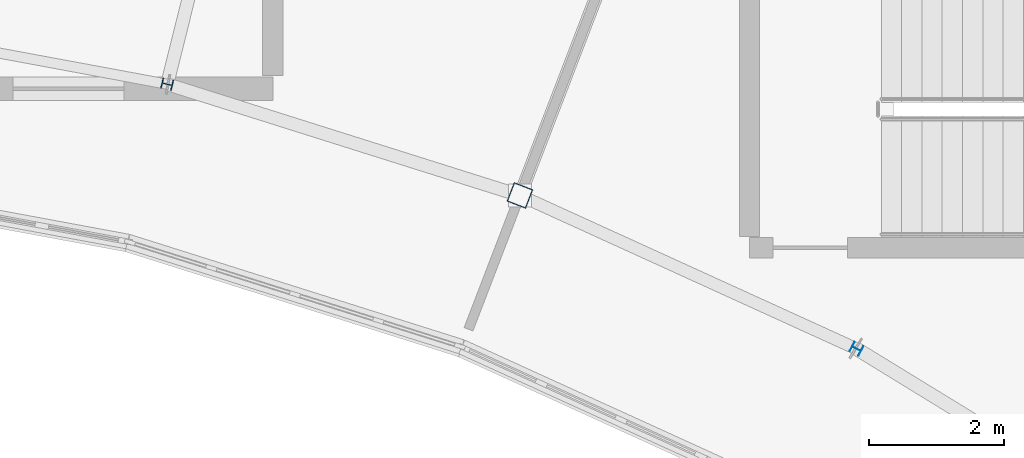
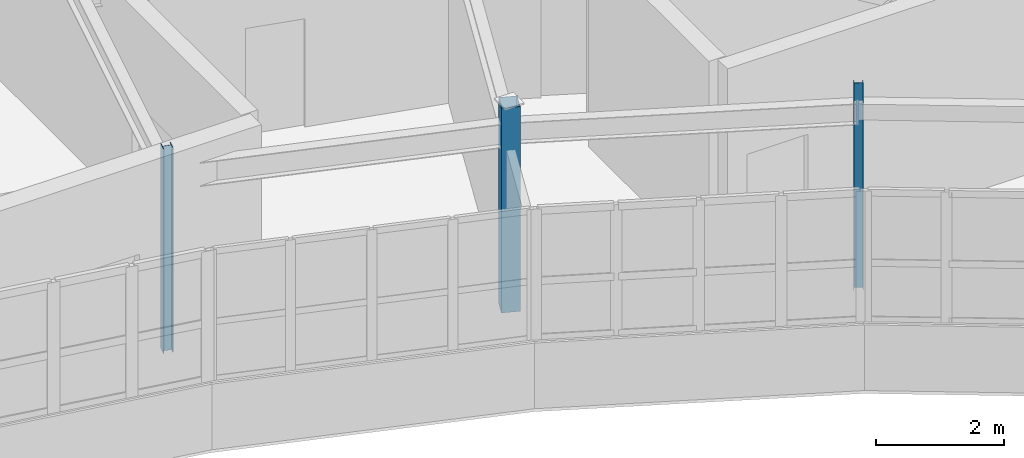
# One storey, part 13 of 79: 3 columns.
"""IFC4 building model written with IfcOpenShell, lengths in metres."""

from ifc_helpers import new_model, si_unit, direction, frame, origin, origin_2d, place, context, subcontext, project, spatial, hollow_rectangle, i_section, extrude, material, material_profile, profile_set, type_object, element, save


model = new_model("IFC4")

# Units and contexts
model_context = context("Model", 3, precision=1e-05, world=origin(), true_north=direction((0.0, 1.0)))
body_context = subcontext(model_context, "Body", "Model", "MODEL_VIEW")
ifc_project = project(units=[si_unit("LENGTHUNIT", "METRE"), si_unit("AREAUNIT", "SQUARE_METRE"), si_unit("VOLUMEUNIT", "CUBIC_METRE"), si_unit("PLANEANGLEUNIT", "RADIAN"), si_unit("MASSUNIT", "GRAM", prefix="KILO")], contexts=[model_context])

# Site, building, storey
site_placement = place(None, origin())
site = spatial("IfcSite", under=ifc_project, at=site_placement, CompositionType="ELEMENT")
building_placement = place(site_placement, origin())
building = spatial("IfcBuilding", under=site, at=building_placement, Name="Tarnwether General Hospital", CompositionType="ELEMENT")
storey_placement = place(building_placement, frame((0.0, 0.0, 18.300048828125)))
storey = spatial("IfcBuildingStorey", under=building, at=storey_placement, Name="L04", CompositionType="ELEMENT", Elevation=18.300048828125)

# Columns
ifc_material_1 = material(Name="Steel Grade 350 (350 MPa)", Category="steel")
ifc_material_profile_1 = material_profile(ifc_material_1, i_section(OverallWidth=0.154052734375, OverallDepth=0.162109375, WebThickness=0.008056640625, FlangeThickness=0.011474609375, at=origin_2d()), Name="150UC37.2")
ifc_profile_set_1 = profile_set([ifc_material_profile_1], Name="Steel Grade 350 (350 MPa)")
column_type_1 = type_object("IfcColumnType", Name="COL-28", PredefinedType="COLUMN", material=ifc_profile_set_1)
column_1_placement = place(storey_placement, frame((102.837890625, 106.468994140625, 0.0), z_axis=(0.0, 0.0, 1.0), x_axis=(0.2419218956, 0.970295726276, 0.0)))
element("IfcColumn", 1, at=column_1_placement, inside=storey, type_object=column_type_1, Name="Column COLG-L04-10284_10647", PredefinedType="COLUMN", context=body_context, shape_type="SweptSolid", body=[
    extrude(i_section(OverallWidth=0.154052734375, OverallDepth=0.162109375, WebThickness=0.008056640625, FlangeThickness=0.011474609375, at=origin_2d()), origin(), (0.0, 0.0, 1.0), 3.89990234375),
])
ifc_material_2 = material(Name="Steel Grade C350L0 (350 MPa)", Category="steel")
ifc_material_profile_2 = material_profile(ifc_material_2, hollow_rectangle(XDim=0.300048828125, YDim=0.300048828125, WallThickness=0.012451171875, at=origin_2d()), Name="SHS300x300x12.5")
ifc_profile_set_2 = profile_set([ifc_material_profile_2], Name="Steel Grade C350L0 (350 MPa)")
column_type_2 = type_object("IfcColumnType", Name="COL-30", PredefinedType="COLUMN", material=ifc_profile_set_2)
column_2_placement = place(storey_placement, frame((108.054931640625, 104.823974609375, 0.0), z_axis=(0.0, 0.0, 1.0), x_axis=(0.358367949545, 0.933580426497, 0.0)))
element("IfcColumn", 2, at=column_2_placement, inside=storey, type_object=column_type_2, Name="Column COLG-L04-10806_10482", PredefinedType="COLUMN", context=body_context, shape_type="SweptSolid", body=[
    extrude(hollow_rectangle(XDim=0.300048828125, YDim=0.300048828125, WallThickness=0.012451171875, at=origin_2d()), origin(), (0.0, 0.0, 1.0), 3.89990234375),
])
ifc_material_3 = material(Name="Steel Grade 350 (350 MPa)", Category="steel")
ifc_material_profile_3 = material_profile(ifc_material_3, i_section(OverallWidth=0.152099609375, OverallDepth=0.152099609375, WebThickness=0.006103515625, FlangeThickness=0.0068359375, at=origin_2d()), Name="150UC23.4")
ifc_profile_set_3 = profile_set([ifc_material_profile_3], Name="Steel Grade 350 (350 MPa)")
column_type_3 = type_object("IfcColumnType", Name="COL-32", PredefinedType="COLUMN", material=ifc_profile_set_3)
column_3_placement = place(storey_placement, frame((113.031982421875, 102.555908203125, 0.0), z_axis=(0.0, 0.0, 1.0), x_axis=(0.469471562786, 0.882947592859, 0.0)))
element("IfcColumn", 3, at=column_3_placement, inside=storey, type_object=column_type_3, Name="Column COLG-L04-11303_10256", PredefinedType="COLUMN", context=body_context, shape_type="SweptSolid", body=[
    extrude(i_section(OverallWidth=0.152099609375, OverallDepth=0.152099609375, WebThickness=0.006103515625, FlangeThickness=0.0068359375, at=origin_2d()), origin(), (0.0, 0.0, 1.0), 3.89990234375),
])

save(model, "model.ifc")
